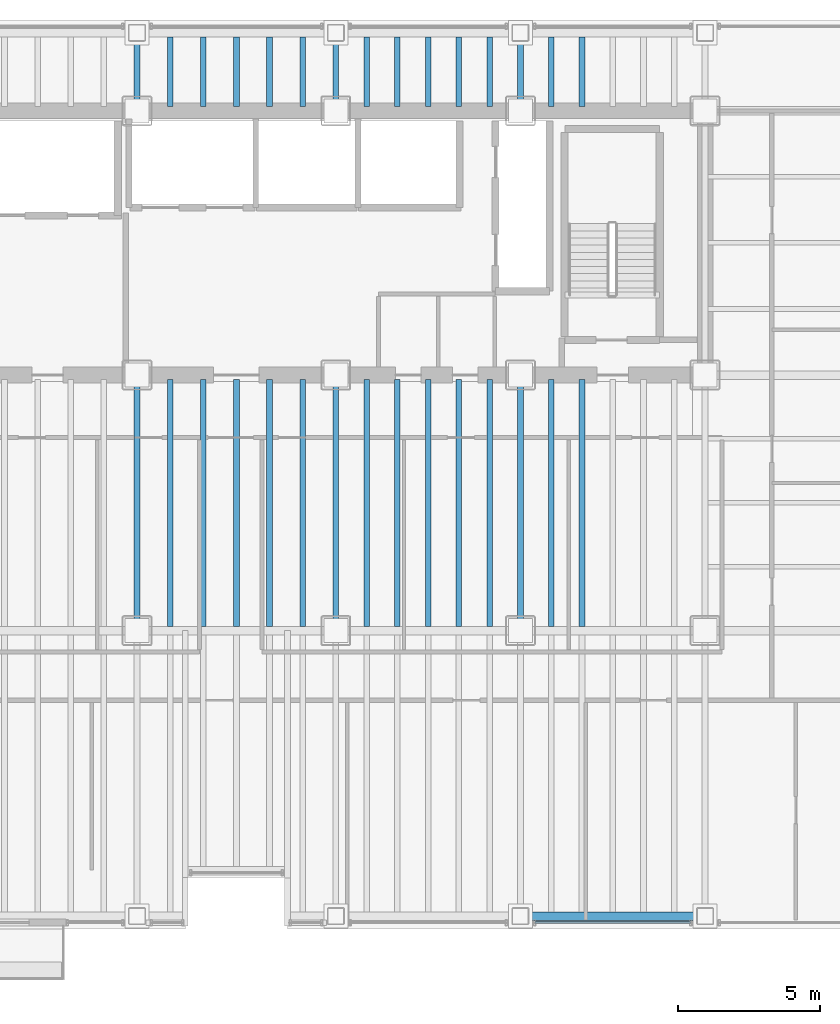
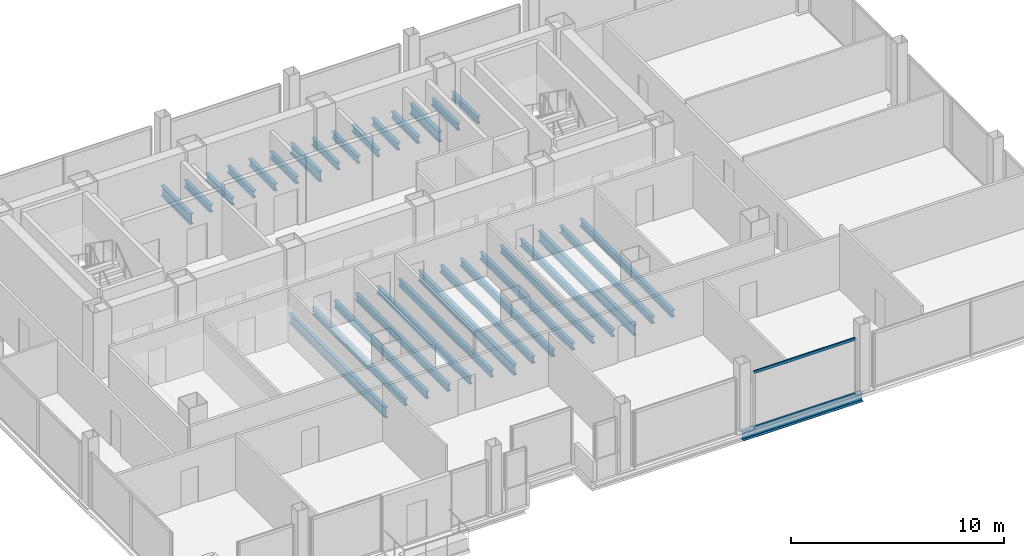
# One storey, part 8 of 21: 31 beams, 2 members, 1 element without a shape of its own.
"""IFC4 building model written with IfcOpenShell, lengths in metres."""

from ifc_helpers import new_model, si_unit, direction, frame, origin, origin_2d, place, context, subcontext, project, spatial, hollow_rectangle, i_section, extrude, material, material_profile, profile_set, type_object, element, aggregate, save


model = new_model("IFC4")

# Units and contexts
model_context = context("Model", 3, precision=1e-05, world=origin(), true_north=direction((0.0, 1.0)))
body_context = subcontext(model_context, "Body", "Model", "MODEL_VIEW")
ifc_project = project(units=[si_unit("LENGTHUNIT", "METRE"), si_unit("AREAUNIT", "SQUARE_METRE"), si_unit("VOLUMEUNIT", "CUBIC_METRE"), si_unit("PLANEANGLEUNIT", "RADIAN"), si_unit("MASSUNIT", "GRAM", prefix="KILO")], contexts=[model_context])

# Site, building, storey
site_placement = place(None, origin())
site = spatial("IfcSite", under=ifc_project, at=site_placement, CompositionType="ELEMENT")
building_placement = place(site_placement, origin())
building = spatial("IfcBuilding", under=site, at=building_placement, Name="Noeulbin Bourse Tower", CompositionType="ELEMENT")
storey_placement = place(building_placement, frame((0.0, 0.0, 92.800048828125)))
storey = spatial("IfcBuildingStorey", under=building, at=storey_placement, Name="L23", CompositionType="ELEMENT", Elevation=92.800048828125)

# Beams
ifc_material_1 = material(Name="Steel S355", Category="steel")
ifc_material_profile_1 = material_profile(ifc_material_1, i_section(OverallWidth=0.199951171875, OverallDepth=0.60009765625, WebThickness=0.010986328125, FlangeThickness=0.01708984375, FilletRadius=0.02197265625, at=origin_2d()), Name="H-600x200x11x17", Category="LoadBearing")
ifc_profile_set_1 = profile_set([ifc_material_profile_1], Name="Steel S355")
beam_type_1 = type_object("IfcBeamType", Name="BM-GRD-600", PredefinedType="USERDEFINED", material=ifc_profile_set_1)
beam_1_placement = place(storey_placement, frame((24.0, 20.0, -0.47998046875), z_axis=(0.0, 1.0, 0.0), x_axis=(-1.0, 0.0, 0.0)))
element("IfcBeam", 1, at=beam_1_placement, inside=storey, type_object=beam_type_1, Name="Tower Primary Girder NS L23-2.2", ObjectType="GIRDER", PredefinedType="USERDEFINED", context=body_context, shape_type="SweptSolid", body=[
    extrude(i_section(OverallWidth=0.199951171875, OverallDepth=0.60009765625, WebThickness=0.010986328125, FlangeThickness=0.01708984375, FilletRadius=0.02197265625, at=origin_2d()), origin(), (0.0, 0.0, 1.0), 9.0),
])
beam_2_placement = place(storey_placement, frame((24.0, 38.300048828125, -0.47998046875), z_axis=(0.0, 1.0, 0.0), x_axis=(-1.0, 0.0, 0.0)))
element("IfcBeam", 2, at=beam_2_placement, inside=storey, type_object=beam_type_1, Name="Tower Primary Girder NS L23-2.4", ObjectType="GIRDER", PredefinedType="USERDEFINED", context=body_context, shape_type="SweptSolid", body=[
    extrude(i_section(OverallWidth=0.199951171875, OverallDepth=0.60009765625, WebThickness=0.010986328125, FlangeThickness=0.01708984375, FilletRadius=0.02197265625, at=origin_2d()), origin(), (0.0, 0.0, 1.0), 2.75),
])
beam_3_placement = place(storey_placement, frame((31.0, 20.0, -0.47998046875), z_axis=(0.0, 1.0, 0.0), x_axis=(-1.0, 0.0, 0.0)))
element("IfcBeam", 3, at=beam_3_placement, inside=storey, type_object=beam_type_1, Name="Tower Primary Girder NS L23-3.2", ObjectType="GIRDER", PredefinedType="USERDEFINED", context=body_context, shape_type="SweptSolid", body=[
    extrude(i_section(OverallWidth=0.199951171875, OverallDepth=0.60009765625, WebThickness=0.010986328125, FlangeThickness=0.01708984375, FilletRadius=0.02197265625, at=origin_2d()), origin(), (0.0, 0.0, 1.0), 9.0),
])
beam_4_placement = place(storey_placement, frame((31.0, 38.300048828125, -0.47998046875), z_axis=(0.0, 1.0, 0.0), x_axis=(-1.0, 0.0, 0.0)))
element("IfcBeam", 4, at=beam_4_placement, inside=storey, type_object=beam_type_1, Name="Tower Primary Girder NS L23-3.4", ObjectType="GIRDER", PredefinedType="USERDEFINED", context=body_context, shape_type="SweptSolid", body=[
    extrude(i_section(OverallWidth=0.199951171875, OverallDepth=0.60009765625, WebThickness=0.010986328125, FlangeThickness=0.01708984375, FilletRadius=0.02197265625, at=origin_2d()), origin(), (0.0, 0.0, 1.0), 2.75),
])
beam_5_placement = place(storey_placement, frame((37.5, 20.0, -0.47998046875), z_axis=(0.0, 1.0, 0.0), x_axis=(-1.0, 0.0, 0.0)))
element("IfcBeam", 5, at=beam_5_placement, inside=storey, type_object=beam_type_1, Name="Tower Primary Girder NS L23-4.2", ObjectType="GIRDER", PredefinedType="USERDEFINED", context=body_context, shape_type="SweptSolid", body=[
    extrude(i_section(OverallWidth=0.199951171875, OverallDepth=0.60009765625, WebThickness=0.010986328125, FlangeThickness=0.01708984375, FilletRadius=0.02197265625, at=origin_2d()), origin(), (0.0, 0.0, 1.0), 9.0),
])
beam_6_placement = place(storey_placement, frame((37.5, 38.300048828125, -0.47998046875), z_axis=(0.0, 1.0, 0.0), x_axis=(-1.0, 0.0, 0.0)))
element("IfcBeam", 6, at=beam_6_placement, inside=storey, type_object=beam_type_1, Name="Tower Primary Girder NS L23-4.4", ObjectType="GIRDER", PredefinedType="USERDEFINED", context=body_context, shape_type="SweptSolid", body=[
    extrude(i_section(OverallWidth=0.199951171875, OverallDepth=0.60009765625, WebThickness=0.010986328125, FlangeThickness=0.01708984375, FilletRadius=0.02197265625, at=origin_2d()), origin(), (0.0, 0.0, 1.0), 2.75),
])
ifc_material_profile_2 = material_profile(ifc_material_1, i_section(OverallWidth=0.199951171875, OverallDepth=0.39990234375, WebThickness=0.008056640625, FlangeThickness=0.012939453125, FilletRadius=0.01611328125, at=origin_2d()), Name="H-400x200x8x13", Category="LoadBearing")
ifc_profile_set_2 = profile_set([ifc_material_profile_2], Name="Steel S355")
beam_type_2 = type_object("IfcBeamType", Name="BM-SEC-400", PredefinedType="BEAM", material=ifc_profile_set_2)
beam_7_placement = place(storey_placement, frame((25.166748046875, 20.14990234375, -0.380126953125), z_axis=(0.0, 1.0, 0.0), x_axis=(-1.0, 0.0, 0.0)))
element("IfcBeam", 7, at=beam_7_placement, inside=storey, type_object=beam_type_2, Name="Tower Composite Joist L23-26", PredefinedType="BEAM", context=body_context, shape_type="SweptSolid", body=[
    extrude(i_section(OverallWidth=0.199951171875, OverallDepth=0.39990234375, WebThickness=0.008056640625, FlangeThickness=0.012939453125, FilletRadius=0.01611328125, at=origin_2d()), origin(), (0.0, 0.0, 1.0), 8.7001953125),
])
beam_8_placement = place(storey_placement, frame((25.166748046875, 38.449951171875, -0.380126953125), z_axis=(0.0, 1.0, 0.0), x_axis=(-1.0, 0.0, 0.0)))
element("IfcBeam", 8, at=beam_8_placement, inside=storey, type_object=beam_type_2, Name="Tower Composite Joist L23-27", PredefinedType="BEAM", context=body_context, shape_type="SweptSolid", body=[
    extrude(i_section(OverallWidth=0.199951171875, OverallDepth=0.39990234375, WebThickness=0.008056640625, FlangeThickness=0.012939453125, FilletRadius=0.01611328125, at=origin_2d()), origin(), (0.0, 0.0, 1.0), 2.449951171875),
])
beam_9_placement = place(storey_placement, frame((26.333251953125, 20.14990234375, -0.380126953125), z_axis=(0.0, 1.0, 0.0), x_axis=(-1.0, 0.0, 0.0)))
element("IfcBeam", 9, at=beam_9_placement, inside=storey, type_object=beam_type_2, Name="Tower Composite Joist L23-29", PredefinedType="BEAM", context=body_context, shape_type="SweptSolid", body=[
    extrude(i_section(OverallWidth=0.199951171875, OverallDepth=0.39990234375, WebThickness=0.008056640625, FlangeThickness=0.012939453125, FilletRadius=0.01611328125, at=origin_2d()), origin(), (0.0, 0.0, 1.0), 8.7001953125),
])
beam_10_placement = place(storey_placement, frame((26.333251953125, 38.449951171875, -0.380126953125), z_axis=(0.0, 1.0, 0.0), x_axis=(-1.0, 0.0, 0.0)))
element("IfcBeam", 10, at=beam_10_placement, inside=storey, type_object=beam_type_2, Name="Tower Composite Joist L23-30", PredefinedType="BEAM", context=body_context, shape_type="SweptSolid", body=[
    extrude(i_section(OverallWidth=0.199951171875, OverallDepth=0.39990234375, WebThickness=0.008056640625, FlangeThickness=0.012939453125, FilletRadius=0.01611328125, at=origin_2d()), origin(), (0.0, 0.0, 1.0), 2.449951171875),
])
beam_11_placement = place(storey_placement, frame((27.5, 20.14990234375, -0.380126953125), z_axis=(0.0, 1.0, 0.0), x_axis=(-1.0, 0.0, 0.0)))
element("IfcBeam", 11, at=beam_11_placement, inside=storey, type_object=beam_type_2, Name="Tower Composite Joist L23-32", PredefinedType="BEAM", context=body_context, shape_type="SweptSolid", body=[
    extrude(i_section(OverallWidth=0.199951171875, OverallDepth=0.39990234375, WebThickness=0.008056640625, FlangeThickness=0.012939453125, FilletRadius=0.01611328125, at=origin_2d()), origin(), (0.0, 0.0, 1.0), 8.7001953125),
])
beam_12_placement = place(storey_placement, frame((27.5, 38.449951171875, -0.380126953125), z_axis=(0.0, 1.0, 0.0), x_axis=(-1.0, 0.0, 0.0)))
element("IfcBeam", 12, at=beam_12_placement, inside=storey, type_object=beam_type_2, Name="Tower Composite Joist L23-33", PredefinedType="BEAM", context=body_context, shape_type="SweptSolid", body=[
    extrude(i_section(OverallWidth=0.199951171875, OverallDepth=0.39990234375, WebThickness=0.008056640625, FlangeThickness=0.012939453125, FilletRadius=0.01611328125, at=origin_2d()), origin(), (0.0, 0.0, 1.0), 2.449951171875),
])
beam_13_placement = place(storey_placement, frame((28.666748046875, 20.14990234375, -0.380126953125), z_axis=(0.0, 1.0, 0.0), x_axis=(-1.0, 0.0, 0.0)))
element("IfcBeam", 13, at=beam_13_placement, inside=storey, type_object=beam_type_2, Name="Tower Composite Joist L23-35", PredefinedType="BEAM", context=body_context, shape_type="SweptSolid", body=[
    extrude(i_section(OverallWidth=0.199951171875, OverallDepth=0.39990234375, WebThickness=0.008056640625, FlangeThickness=0.012939453125, FilletRadius=0.01611328125, at=origin_2d()), origin(), (0.0, 0.0, 1.0), 8.7001953125),
])
beam_14_placement = place(storey_placement, frame((28.666748046875, 38.449951171875, -0.380126953125), z_axis=(0.0, 1.0, 0.0), x_axis=(-1.0, 0.0, 0.0)))
element("IfcBeam", 14, at=beam_14_placement, inside=storey, type_object=beam_type_2, Name="Tower Composite Joist L23-36", PredefinedType="BEAM", context=body_context, shape_type="SweptSolid", body=[
    extrude(i_section(OverallWidth=0.199951171875, OverallDepth=0.39990234375, WebThickness=0.008056640625, FlangeThickness=0.012939453125, FilletRadius=0.01611328125, at=origin_2d()), origin(), (0.0, 0.0, 1.0), 2.449951171875),
])
beam_15_placement = place(storey_placement, frame((29.833251953125, 20.14990234375, -0.380126953125), z_axis=(0.0, 1.0, 0.0), x_axis=(-1.0, 0.0, 0.0)))
element("IfcBeam", 15, at=beam_15_placement, inside=storey, type_object=beam_type_2, Name="Tower Composite Joist L23-38", PredefinedType="BEAM", context=body_context, shape_type="SweptSolid", body=[
    extrude(i_section(OverallWidth=0.199951171875, OverallDepth=0.39990234375, WebThickness=0.008056640625, FlangeThickness=0.012939453125, FilletRadius=0.01611328125, at=origin_2d()), origin(), (0.0, 0.0, 1.0), 8.7001953125),
])
beam_16_placement = place(storey_placement, frame((29.833251953125, 38.449951171875, -0.380126953125), z_axis=(0.0, 1.0, 0.0), x_axis=(-1.0, 0.0, 0.0)))
element("IfcBeam", 16, at=beam_16_placement, inside=storey, type_object=beam_type_2, Name="Tower Composite Joist L23-39", PredefinedType="BEAM", context=body_context, shape_type="SweptSolid", body=[
    extrude(i_section(OverallWidth=0.199951171875, OverallDepth=0.39990234375, WebThickness=0.008056640625, FlangeThickness=0.012939453125, FilletRadius=0.01611328125, at=origin_2d()), origin(), (0.0, 0.0, 1.0), 2.449951171875),
])
beam_17_placement = place(storey_placement, frame((32.083251953125, 20.14990234375, -0.380126953125), z_axis=(0.0, 1.0, 0.0), x_axis=(-1.0, 0.0, 0.0)))
element("IfcBeam", 17, at=beam_17_placement, inside=storey, type_object=beam_type_2, Name="Tower Composite Joist L23-41", PredefinedType="BEAM", context=body_context, shape_type="SweptSolid", body=[
    extrude(i_section(OverallWidth=0.199951171875, OverallDepth=0.39990234375, WebThickness=0.008056640625, FlangeThickness=0.012939453125, FilletRadius=0.01611328125, at=origin_2d()), origin(), (0.0, 0.0, 1.0), 8.7001953125),
])
beam_18_placement = place(storey_placement, frame((32.083251953125, 38.449951171875, -0.380126953125), z_axis=(0.0, 1.0, 0.0), x_axis=(-1.0, 0.0, 0.0)))
element("IfcBeam", 18, at=beam_18_placement, inside=storey, type_object=beam_type_2, Name="Tower Composite Joist L23-42", PredefinedType="BEAM", context=body_context, shape_type="SweptSolid", body=[
    extrude(i_section(OverallWidth=0.199951171875, OverallDepth=0.39990234375, WebThickness=0.008056640625, FlangeThickness=0.012939453125, FilletRadius=0.01611328125, at=origin_2d()), origin(), (0.0, 0.0, 1.0), 2.449951171875),
])
beam_19_placement = place(storey_placement, frame((33.166748046875, 20.14990234375, -0.380126953125), z_axis=(0.0, 1.0, 0.0), x_axis=(-1.0, 0.0, 0.0)))
element("IfcBeam", 19, at=beam_19_placement, inside=storey, type_object=beam_type_2, Name="Tower Composite Joist L23-44", PredefinedType="BEAM", context=body_context, shape_type="SweptSolid", body=[
    extrude(i_section(OverallWidth=0.199951171875, OverallDepth=0.39990234375, WebThickness=0.008056640625, FlangeThickness=0.012939453125, FilletRadius=0.01611328125, at=origin_2d()), origin(), (0.0, 0.0, 1.0), 8.7001953125),
])
beam_20_placement = place(storey_placement, frame((33.166748046875, 38.449951171875, -0.380126953125), z_axis=(0.0, 1.0, 0.0), x_axis=(-1.0, 0.0, 0.0)))
element("IfcBeam", 20, at=beam_20_placement, inside=storey, type_object=beam_type_2, Name="Tower Composite Joist L23-45", PredefinedType="BEAM", context=body_context, shape_type="SweptSolid", body=[
    extrude(i_section(OverallWidth=0.199951171875, OverallDepth=0.39990234375, WebThickness=0.008056640625, FlangeThickness=0.012939453125, FilletRadius=0.01611328125, at=origin_2d()), origin(), (0.0, 0.0, 1.0), 2.449951171875),
])
beam_21_placement = place(storey_placement, frame((34.25, 20.14990234375, -0.380126953125), z_axis=(0.0, 1.0, 0.0), x_axis=(-1.0, 0.0, 0.0)))
element("IfcBeam", 21, at=beam_21_placement, inside=storey, type_object=beam_type_2, Name="Tower Composite Joist L23-47", PredefinedType="BEAM", context=body_context, shape_type="SweptSolid", body=[
    extrude(i_section(OverallWidth=0.199951171875, OverallDepth=0.39990234375, WebThickness=0.008056640625, FlangeThickness=0.012939453125, FilletRadius=0.01611328125, at=origin_2d()), origin(), (0.0, 0.0, 1.0), 8.7001953125),
])
beam_22_placement = place(storey_placement, frame((34.25, 38.449951171875, -0.380126953125), z_axis=(0.0, 1.0, 0.0), x_axis=(-1.0, 0.0, 0.0)))
element("IfcBeam", 22, at=beam_22_placement, inside=storey, type_object=beam_type_2, Name="Tower Composite Joist L23-48", PredefinedType="BEAM", context=body_context, shape_type="SweptSolid", body=[
    extrude(i_section(OverallWidth=0.199951171875, OverallDepth=0.39990234375, WebThickness=0.008056640625, FlangeThickness=0.012939453125, FilletRadius=0.01611328125, at=origin_2d()), origin(), (0.0, 0.0, 1.0), 2.449951171875),
])
beam_23_placement = place(storey_placement, frame((35.333251953125, 20.14990234375, -0.380126953125), z_axis=(0.0, 1.0, 0.0), x_axis=(-1.0, 0.0, 0.0)))
element("IfcBeam", 23, at=beam_23_placement, inside=storey, type_object=beam_type_2, Name="Tower Composite Joist L23-50", PredefinedType="BEAM", context=body_context, shape_type="SweptSolid", body=[
    extrude(i_section(OverallWidth=0.199951171875, OverallDepth=0.39990234375, WebThickness=0.008056640625, FlangeThickness=0.012939453125, FilletRadius=0.01611328125, at=origin_2d()), origin(), (0.0, 0.0, 1.0), 8.7001953125),
])
beam_24_placement = place(storey_placement, frame((35.333251953125, 38.449951171875, -0.380126953125), z_axis=(0.0, 1.0, 0.0), x_axis=(-1.0, 0.0, 0.0)))
element("IfcBeam", 24, at=beam_24_placement, inside=storey, type_object=beam_type_2, Name="Tower Composite Joist L23-51", PredefinedType="BEAM", context=body_context, shape_type="SweptSolid", body=[
    extrude(i_section(OverallWidth=0.199951171875, OverallDepth=0.39990234375, WebThickness=0.008056640625, FlangeThickness=0.012939453125, FilletRadius=0.01611328125, at=origin_2d()), origin(), (0.0, 0.0, 1.0), 2.449951171875),
])
beam_25_placement = place(storey_placement, frame((36.416748046875, 20.14990234375, -0.380126953125), z_axis=(0.0, 1.0, 0.0), x_axis=(-1.0, 0.0, 0.0)))
element("IfcBeam", 25, at=beam_25_placement, inside=storey, type_object=beam_type_2, Name="Tower Composite Joist L23-53", PredefinedType="BEAM", context=body_context, shape_type="SweptSolid", body=[
    extrude(i_section(OverallWidth=0.199951171875, OverallDepth=0.39990234375, WebThickness=0.008056640625, FlangeThickness=0.012939453125, FilletRadius=0.01611328125, at=origin_2d()), origin(), (0.0, 0.0, 1.0), 8.7001953125),
])
beam_26_placement = place(storey_placement, frame((36.416748046875, 38.449951171875, -0.380126953125), z_axis=(0.0, 1.0, 0.0), x_axis=(-1.0, 0.0, 0.0)))
element("IfcBeam", 26, at=beam_26_placement, inside=storey, type_object=beam_type_2, Name="Tower Composite Joist L23-54", PredefinedType="BEAM", context=body_context, shape_type="SweptSolid", body=[
    extrude(i_section(OverallWidth=0.199951171875, OverallDepth=0.39990234375, WebThickness=0.008056640625, FlangeThickness=0.012939453125, FilletRadius=0.01611328125, at=origin_2d()), origin(), (0.0, 0.0, 1.0), 2.449951171875),
])
beam_27_placement = place(storey_placement, frame((38.583251953125, 20.14990234375, -0.380126953125), z_axis=(0.0, 1.0, 0.0), x_axis=(-1.0, 0.0, 0.0)))
element("IfcBeam", 27, at=beam_27_placement, inside=storey, type_object=beam_type_2, Name="Tower Composite Joist L23-56", PredefinedType="BEAM", context=body_context, shape_type="SweptSolid", body=[
    extrude(i_section(OverallWidth=0.199951171875, OverallDepth=0.39990234375, WebThickness=0.008056640625, FlangeThickness=0.012939453125, FilletRadius=0.01611328125, at=origin_2d()), origin(), (0.0, 0.0, 1.0), 8.7001953125),
])
beam_28_placement = place(storey_placement, frame((38.583251953125, 38.449951171875, -0.380126953125), z_axis=(0.0, 1.0, 0.0), x_axis=(-1.0, 0.0, 0.0)))
element("IfcBeam", 28, at=beam_28_placement, inside=storey, type_object=beam_type_2, Name="Tower Composite Joist L23-57", PredefinedType="BEAM", context=body_context, shape_type="SweptSolid", body=[
    extrude(i_section(OverallWidth=0.199951171875, OverallDepth=0.39990234375, WebThickness=0.008056640625, FlangeThickness=0.012939453125, FilletRadius=0.01611328125, at=origin_2d()), origin(), (0.0, 0.0, 1.0), 2.449951171875),
])
beam_29_placement = place(storey_placement, frame((39.666748046875, 20.14990234375, -0.380126953125), z_axis=(0.0, 1.0, 0.0), x_axis=(-1.0, 0.0, 0.0)))
element("IfcBeam", 29, at=beam_29_placement, inside=storey, type_object=beam_type_2, Name="Tower Composite Joist L23-59", PredefinedType="BEAM", context=body_context, shape_type="SweptSolid", body=[
    extrude(i_section(OverallWidth=0.199951171875, OverallDepth=0.39990234375, WebThickness=0.008056640625, FlangeThickness=0.012939453125, FilletRadius=0.01611328125, at=origin_2d()), origin(), (0.0, 0.0, 1.0), 8.7001953125),
])
beam_30_placement = place(storey_placement, frame((39.666748046875, 38.449951171875, -0.380126953125), z_axis=(0.0, 1.0, 0.0), x_axis=(-1.0, 0.0, 0.0)))
element("IfcBeam", 30, at=beam_30_placement, inside=storey, type_object=beam_type_2, Name="Tower Composite Joist L23-60", PredefinedType="BEAM", context=body_context, shape_type="SweptSolid", body=[
    extrude(i_section(OverallWidth=0.199951171875, OverallDepth=0.39990234375, WebThickness=0.008056640625, FlangeThickness=0.012939453125, FilletRadius=0.01611328125, at=origin_2d()), origin(), (0.0, 0.0, 1.0), 2.449951171875),
])
ifc_material_profile_3 = material_profile(ifc_material_1, i_section(OverallWidth=0.300048828125, OverallDepth=0.488037109375, WebThickness=0.010986328125, FlangeThickness=0.01806640625, FilletRadius=0.02197265625, at=origin_2d()), Name="H-488x300x11x18", Category="LoadBearing")
ifc_profile_set_3 = profile_set([ifc_material_profile_3], Name="Steel S355")
beam_type_3 = type_object("IfcBeamType", Name="BM-SPN-488", PredefinedType="SPANDREL", material=ifc_profile_set_3)
beam_31_placement = place(storey_placement, frame((37.5, 9.949951171875, -0.424072265625), z_axis=(1.0, 0.0, 0.0), x_axis=(0.0, 1.0, 0.0)))
element("IfcBeam", 31, at=beam_31_placement, inside=storey, type_object=beam_type_3, Name="South Spandrel L23-4", PredefinedType="SPANDREL", context=body_context, shape_type="SweptSolid", body=[
    extrude(i_section(OverallWidth=0.300048828125, OverallDepth=0.488037109375, WebThickness=0.010986328125, FlangeThickness=0.01806640625, FilletRadius=0.02197265625, at=origin_2d()), origin(), (0.0, 0.0, 1.0), 6.5),
])

# Curtain wall, members
ifc_material_2 = material(Name="Dark Solar-Control Double Glazing", Category="glass")
curtain_wall_type = type_object("IfcCurtainWallType", Name="CW-SYS-2", PredefinedType="NOTDEFINED", material=ifc_material_2)
curtain_wall_placement = place(storey_placement, origin())
curtain_wall = element("IfcCurtainWall", 32, at=curtain_wall_placement, inside=storey, type_object=curtain_wall_type, Name="Unitised Curtain Wall CW-L23-S3-S3", PredefinedType="NOTDEFINED")
ifc_material_3 = material(Name="Anodised Aluminium 6063-T6", Category="aluminium")
ifc_material_profile_4 = material_profile(ifc_material_3, hollow_rectangle(XDim=0.074951171875, YDim=0.159912109375, WallThickness=0.0048828125, InnerFilletRadius=0.00244140625, OuterFilletRadius=0.0048828125, at=origin_2d()), Name="ALU-TRAN-75x160x5", Category="LoadBearing")
ifc_profile_set_4 = profile_set([ifc_material_profile_4], Name="Anodised Aluminium 6063-T6")
member_type = type_object("IfcMemberType", Name="CW-SYS-2-TRN", PredefinedType="USERDEFINED", material=ifc_profile_set_4)
member_1_placement = place(storey_placement, frame((38.010009765625, 9.719970703125, 0.010009765625), z_axis=(1.0, 0.0, 0.0), x_axis=(0.0, 1.0, 0.0)))
member_1 = element("IfcMember", 33, at=member_1_placement, type_object=member_type, Name="Curtain Wall Transom CW-L23-S3-S3-T00", ObjectType="TRANSOM", PredefinedType="USERDEFINED", context=body_context, shape_type="SweptSolid", body=[
    extrude(hollow_rectangle(XDim=0.074951171875, YDim=0.159912109375, WallThickness=0.0048828125, InnerFilletRadius=0.00244140625, OuterFilletRadius=0.0048828125, at=origin_2d()), origin(), (0.0, 0.0, 1.0), 5.47998046875),
])
member_2_placement = place(storey_placement, frame((38.010009765625, 9.719970703125, 3.169921875), z_axis=(1.0, 0.0, 0.0), x_axis=(0.0, 1.0, 0.0)))
member_2 = element("IfcMember", 34, at=member_2_placement, type_object=member_type, Name="Curtain Wall Transom CW-L23-S3-S3-T01", ObjectType="TRANSOM", PredefinedType="USERDEFINED", context=body_context, shape_type="SweptSolid", body=[
    extrude(hollow_rectangle(XDim=0.074951171875, YDim=0.159912109375, WallThickness=0.0048828125, InnerFilletRadius=0.00244140625, OuterFilletRadius=0.0048828125, at=origin_2d()), origin(), (0.0, 0.0, 1.0), 5.47998046875),
])
aggregate(curtain_wall, [member_1, member_2])

save(model, "model.ifc")
